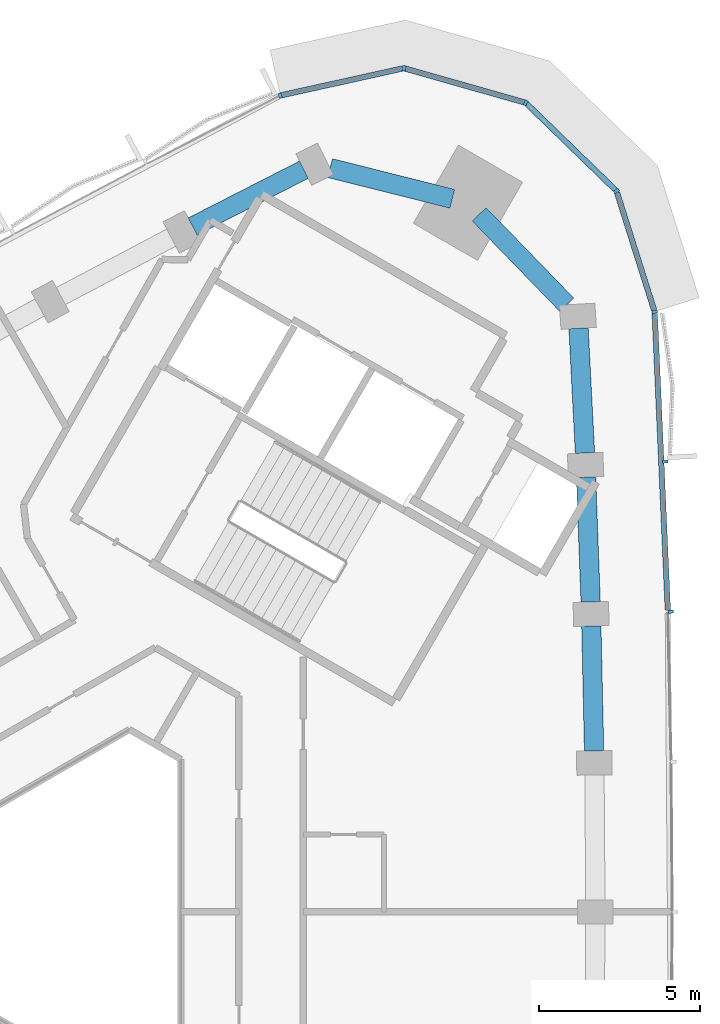
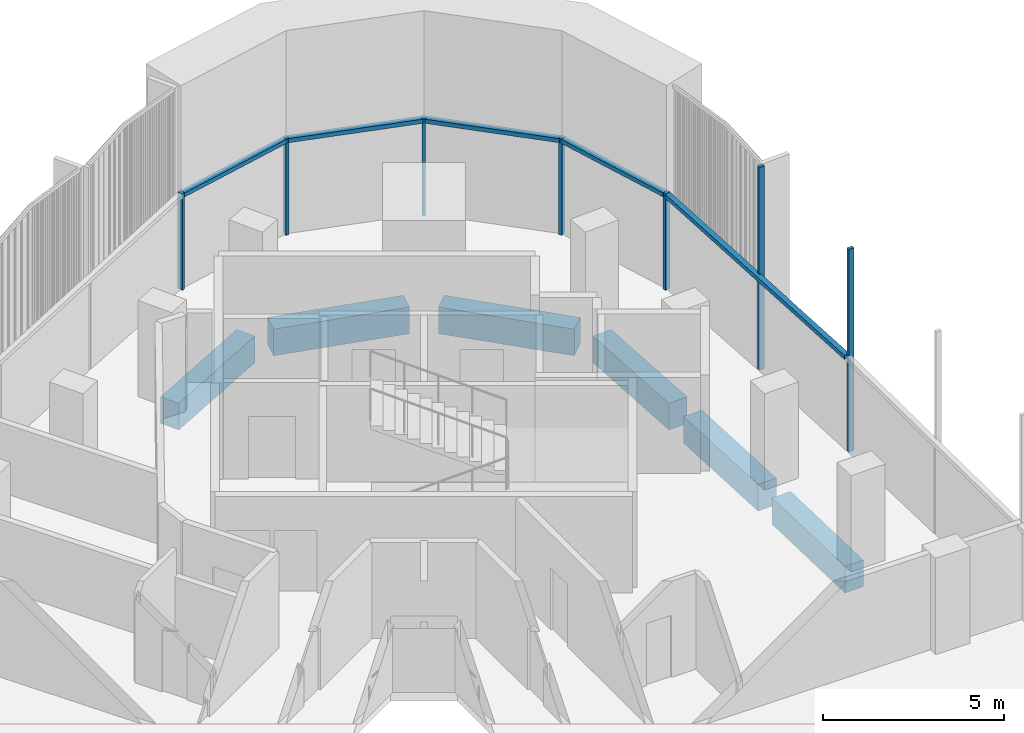
# One storey, part 6 of 16: 12 members, 6 beams, 2 elements without a shape of their own.
"""IFC4 building model written with IfcOpenShell, lengths in metres."""

from ifc_helpers import new_model, si_unit, direction, frame, origin, origin_2d, place, context, subcontext, project, spatial, rectangle, extrude, material, material_profile, profile_set, type_object, element, aggregate, save


model = new_model("IFC4")

# Units and contexts
model_context = context("Model", 3, precision=1e-05, world=origin(), true_north=direction((0.0, 1.0)))
body_context = subcontext(model_context, "Body", "Model", "MODEL_VIEW")
ifc_project = project(units=[si_unit("LENGTHUNIT", "METRE"), si_unit("AREAUNIT", "SQUARE_METRE"), si_unit("VOLUMEUNIT", "CUBIC_METRE"), si_unit("PLANEANGLEUNIT", "RADIAN"), si_unit("MASSUNIT", "GRAM", prefix="KILO")], contexts=[model_context])

# Site, building, storey
site_placement = place(None, origin())
site = spatial("IfcSite", under=ifc_project, at=site_placement, CompositionType="ELEMENT")
building_placement = place(site_placement, origin())
building = spatial("IfcBuilding", under=site, at=building_placement, Name="Tamra Quay Hotel Tower", CompositionType="ELEMENT")
storey_placement = place(building_placement, frame((0.0, 0.0, 232.199951171875)))
storey = spatial("IfcBuildingStorey", under=building, at=storey_placement, Name="L58", CompositionType="ELEMENT", Elevation=232.199951171875)

# Curtain wall, members
ifc_material_1 = material(Name="Aluminium 6063 anodised dark grey", Category="aluminium")
curtain_wall_type_1 = type_object("IfcCurtainWallType", Name="CW1 CURTAIN WALL", PredefinedType="NOTDEFINED", material=ifc_material_1)
curtain_wall_1_placement = place(storey_placement, origin())
curtain_wall_1 = element("IfcCurtainWall", 1, at=curtain_wall_1_placement, inside=storey, type_object=curtain_wall_type_1, Name="CW1 east face L58", PredefinedType="NOTDEFINED")
ifc_material_profile_1 = material_profile(ifc_material_1, rectangle(XDim=0.169921875, YDim=0.10009765625, at=origin_2d()), Name="MULLION 100X170")
ifc_profile_set_1 = profile_set([ifc_material_profile_1], Name="Aluminium 6063 anodised dark grey")
member_type_1 = type_object("IfcMemberType", Name="MULLION CW1 Z5", PredefinedType="MULLION", material=ifc_profile_set_1)
member_1_placement = place(storey_placement, frame((19.0029296875, 9.3212890625, 0.0), z_axis=(0.0, 0.0, 1.0), x_axis=(0.999567604461, 0.029404151257, 0.0)))
member_1 = element("IfcMember", 2, at=member_1_placement, type_object=member_type_1, Name="CW1 mullion L58.E.7", PredefinedType="MULLION", context=body_context, shape_type="SweptSolid", body=[
    extrude(rectangle(XDim=0.169921875, YDim=0.10009765625, at=origin_2d()), origin(), (0.0, 0.0, 1.0), 6.85009765625),
])
member_2_placement = place(storey_placement, frame((18.831787109375, 13.980224609375, 0.0), z_axis=(0.0, 0.0, 1.0), x_axis=(0.999028242541, 0.044074602737, 0.0)))
member_2 = element("IfcMember", 3, at=member_2_placement, type_object=member_type_1, Name="CW1 mullion L58.E.8", PredefinedType="MULLION", context=body_context, shape_type="SweptSolid", body=[
    extrude(rectangle(XDim=0.169921875, YDim=0.10009765625, at=origin_2d()), origin(), (0.0, 0.0, 1.0), 6.85009765625),
])
member_3_placement = place(storey_placement, frame((18.50732421875, 18.63037109375, 0.0), z_axis=(0.0, 0.0, 1.0), x_axis=(0.984105369622, 0.177585532857, 0.0)))
member_3 = element("IfcMember", 4, at=member_3_placement, type_object=member_type_1, Name="CW1 mullion L58.E.9", PredefinedType="MULLION", context=body_context, shape_type="SweptSolid", body=[
    extrude(rectangle(XDim=0.169921875, YDim=0.10009765625, at=origin_2d()), origin(), (0.0, 0.0, 1.0), 3.25),
])
member_4_placement = place(storey_placement, frame((17.323974609375, 22.38037109375, 0.0), z_axis=(0.0, 0.0, 1.0), x_axis=(0.851044298206, 0.525093898736, 0.0)))
member_4 = element("IfcMember", 5, at=member_4_placement, type_object=member_type_1, Name="CW1 mullion L58.E.10", PredefinedType="MULLION", context=body_context, shape_type="SweptSolid", body=[
    extrude(rectangle(XDim=0.169921875, YDim=0.10009765625, at=origin_2d()), origin(), (0.0, 0.0, 1.0), 3.25),
])
member_5_placement = place(storey_placement, frame((14.503173828125, 25.1201171875, 0.0), z_axis=(0.0, 0.0, 1.0), x_axis=(0.5, 0.866025403784, 0.0)))
member_5 = element("IfcMember", 6, at=member_5_placement, type_object=member_type_1, Name="CW1 mullion L58.E.11", PredefinedType="MULLION", context=body_context, shape_type="SweptSolid", body=[
    extrude(rectangle(XDim=0.169921875, YDim=0.10009765625, at=origin_2d()), origin(), (0.0, 0.0, 1.0), 3.25),
])
member_6_placement = place(storey_placement, frame((10.719970703125, 26.193359375, 0.0), z_axis=(0.0, 0.0, 1.0), x_axis=(0.029222506575, 0.999572931361, 0.0)))
member_6 = element("IfcMember", 7, at=member_6_placement, type_object=member_type_1, Name="CW1 mullion L58.E.12", PredefinedType="MULLION", context=body_context, shape_type="SweptSolid", body=[
    extrude(rectangle(XDim=0.169921875, YDim=0.10009765625, at=origin_2d()), origin(), (0.0, 0.0, 1.0), 3.25),
])

# Curtain wall, member
curtain_wall_type_2 = type_object("IfcCurtainWallType", Name="CW2 CURTAIN WALL", PredefinedType="NOTDEFINED", material=ifc_material_1)
curtain_wall_2_placement = place(storey_placement, origin())
curtain_wall_2 = element("IfcCurtainWall", 8, at=curtain_wall_2_placement, inside=storey, type_object=curtain_wall_type_2, Name="CW2 north-west face L58", PredefinedType="NOTDEFINED")
ifc_material_profile_2 = material_profile(ifc_material_1, rectangle(XDim=0.169921875, YDim=0.10009765625, at=origin_2d()), Name="MULLION 100X170")
ifc_profile_set_2 = profile_set([ifc_material_profile_2], Name="Aluminium 6063 anodised dark grey")
member_type_2 = type_object("IfcMemberType", Name="MULLION CW2 Z5", PredefinedType="MULLION", material=ifc_profile_set_2)
member_7_placement = place(storey_placement, frame((6.880615234375, 25.343017578125, 0.0), z_axis=(0.0, 0.0, 1.0), x_axis=(-0.338259102012, 0.941053016522, 0.0)))
member_7 = element("IfcMember", 9, at=member_7_placement, type_object=member_type_2, Name="CW2 mullion L58.NW.1", PredefinedType="MULLION", context=body_context, shape_type="SweptSolid", body=[
    extrude(rectangle(XDim=0.169921875, YDim=0.10009765625, at=origin_2d()), origin(), (0.0, 0.0, 1.0), 3.25),
])
aggregate(curtain_wall_2, [member_7])

# Beams
ifc_material_2 = material(Name="Concrete M60", Category="concrete")
ifc_material_profile_3 = material_profile(ifc_material_2, rectangle(XDim=0.60009765625, YDim=0.89990234375, at=origin_2d()), Name="SPANDREL BEAM RC 600x900")
ifc_profile_set_3 = profile_set([ifc_material_profile_3], Name="Concrete M60")
beam_type = type_object("IfcBeamType", Name="SPANDREL BEAM RC 600x900", PredefinedType="SPANDREL", material=ifc_profile_set_3)
beam_1_placement = place(storey_placement, frame((16.626953125, 5.0, -0.800048828125), z_axis=(-0.022047440235, 0.999756925647, 0.0), x_axis=(-0.999756925647, -0.022047440235, 0.0)))
element("IfcBeam", 10, at=beam_1_placement, inside=storey, type_object=beam_type, Name="BM-SP5-005-L58", PredefinedType="SPANDREL", context=body_context, shape_type="SweptSolid", body=[
    extrude(rectangle(XDim=0.60009765625, YDim=0.89990234375, at=origin_2d()), origin(), (0.0, 0.0, 1.0), 3.875732421875),
])
beam_2_placement = place(storey_placement, frame((16.51953125, 9.62451171875, -0.800048828125), z_axis=(-0.036732019634, 0.999325151657, 0.0), x_axis=(-0.999325151657, -0.036732019634, 0.0)))
element("IfcBeam", 11, at=beam_2_placement, inside=storey, type_object=beam_type, Name="BM-SP5-006-L58", PredefinedType="SPANDREL", context=body_context, shape_type="SweptSolid", body=[
    extrude(rectangle(XDim=0.60009765625, YDim=0.89990234375, at=origin_2d()), origin(), (0.0, 0.0, 1.0), 3.875),
])
beam_3_placement = place(storey_placement, frame((16.343994140625, 14.24609375, -0.800048828125), z_axis=(-0.051404854824, 0.998677896471, 0.0), x_axis=(-0.998677896471, -0.051404854824, 0.0)))
element("IfcBeam", 12, at=beam_3_placement, inside=storey, type_object=beam_type, Name="BM-SP5-007-L58", PredefinedType="SPANDREL", context=body_context, shape_type="SweptSolid", body=[
    extrude(rectangle(XDim=0.60009765625, YDim=0.89990234375, at=origin_2d()), origin(), (0.0, 0.0, 1.0), 3.87548828125),
])
beam_4_placement = place(storey_placement, frame((15.781005859375, 18.846435546875, -0.800048828125), z_axis=(-0.69594408001, 0.718095980701, 0.0), x_axis=(-0.718095980701, -0.69594408001, 0.0)))
element("IfcBeam", 13, at=beam_4_placement, inside=storey, type_object=beam_type, Name="BM-SP5-008-L58", PredefinedType="SPANDREL", context=body_context, shape_type="SweptSolid", body=[
    extrude(rectangle(XDim=0.60009765625, YDim=0.89990234375, at=origin_2d()), origin(), (0.0, 0.0, 1.0), 3.91259765625),
])
beam_5_placement = place(storey_placement, frame((12.225830078125, 22.136474609375, -0.800048828125), z_axis=(-0.969848171666, 0.243709917558, 0.0), x_axis=(-0.243709917558, -0.969848171666, 0.0)))
element("IfcBeam", 14, at=beam_5_placement, inside=storey, type_object=beam_type, Name="BM-SP5-009-L58", PredefinedType="SPANDREL", context=body_context, shape_type="SweptSolid", body=[
    extrude(rectangle(XDim=0.60009765625, YDim=0.89990234375, at=origin_2d()), origin(), (0.0, 0.0, 1.0), 3.912841796875),
])
beam_6_placement = place(storey_placement, frame((7.616943359375, 23.0400390625, -0.800048828125), z_axis=(-0.890602550436, -0.454782472349, 0.0), x_axis=(0.454782472349, -0.890602550436, 0.0)))
element("IfcBeam", 15, at=beam_6_placement, inside=storey, type_object=beam_type, Name="BM-SP5-010-L58", PredefinedType="SPANDREL", context=body_context, shape_type="SweptSolid", body=[
    extrude(rectangle(XDim=0.60009765625, YDim=0.89990234375, at=origin_2d()), origin(), (0.0, 0.0, 1.0), 3.87548828125),
])

# Member
ifc_material_profile_4 = material_profile(ifc_material_1, rectangle(XDim=0.169921875, YDim=0.139892578125, at=origin_2d()), Name="TRANSOM 170X140")
ifc_profile_set_4 = profile_set([ifc_material_profile_4], Name="Aluminium 6063 anodised dark grey")
member_type_3 = type_object("IfcMemberType", Name="TRANSOM CW1 Z5", PredefinedType="USERDEFINED", material=ifc_profile_set_4)
member_8_placement = place(storey_placement, frame((18.916259765625, 9.368896484375, 3.179931640625), z_axis=(-0.044086433995, 0.999027720505, 0.0), x_axis=(-0.999027720505, -0.044086433995, 0.0)))
member_8 = element("IfcMember", 16, at=member_8_placement, type_object=member_type_3, Name="CW1 transom L58.E.7", ObjectType="TRANSOM", PredefinedType="USERDEFINED", context=body_context, shape_type="SweptSolid", body=[
    extrude(rectangle(XDim=0.169921875, YDim=0.139892578125, at=origin_2d()), origin(), (0.0, 0.0, 1.0), 9.220458984375),
])

member_9_placement = place(storey_placement, frame((18.4921875, 18.677978515625, 3.179931640625), z_axis=(-0.300878302807, 0.953662543513, 0.0), x_axis=(-0.953662543513, -0.300878302807, 0.0)))
member_9 = element("IfcMember", 17, at=member_9_placement, type_object=member_type_3, Name="CW1 transom L58.E.9", ObjectType="TRANSOM", PredefinedType="USERDEFINED", context=body_context, shape_type="SweptSolid", body=[
    extrude(rectangle(XDim=0.169921875, YDim=0.139892578125, at=origin_2d()), origin(), (0.0, 0.0, 1.0), 3.832275390625),
])

member_10_placement = place(storey_placement, frame((17.2880859375, 22.415283203125, 3.179931640625), z_axis=(-0.717352155518, 0.696710761345, 0.0), x_axis=(-0.696710761345, -0.717352155518, 0.0)))
member_10 = element("IfcMember", 18, at=member_10_placement, type_object=member_type_3, Name="CW1 transom L58.E.10", ObjectType="TRANSOM", PredefinedType="USERDEFINED", context=body_context, shape_type="SweptSolid", body=[
    extrude(rectangle(XDim=0.169921875, YDim=0.139892578125, at=origin_2d()), origin(), (0.0, 0.0, 1.0), 3.832275390625),
])

member_11_placement = place(storey_placement, frame((14.455078125, 25.1337890625, 3.179931640625), z_axis=(-0.962041469084, 0.272903301123, 0.0), x_axis=(-0.272903301123, -0.962041469084, 0.0)))
member_11 = element("IfcMember", 19, at=member_11_placement, type_object=member_type_3, Name="CW1 transom L58.E.11", ObjectType="TRANSOM", PredefinedType="USERDEFINED", context=body_context, shape_type="SweptSolid", body=[
    extrude(rectangle(XDim=0.169921875, YDim=0.139892578125, at=origin_2d()), origin(), (0.0, 0.0, 1.0), 3.83251953125),
])

member_12_placement = place(storey_placement, frame((10.671142578125, 26.182373046875, 3.179931640625), z_axis=(-0.976345686568, -0.216215402598, 0.0), x_axis=(0.216215402598, -0.976345686568, 0.0)))
member_12 = element("IfcMember", 20, at=member_12_placement, type_object=member_type_3, Name="CW1 transom L58.E.12", ObjectType="TRANSOM", PredefinedType="USERDEFINED", context=body_context, shape_type="SweptSolid", body=[
    extrude(rectangle(XDim=0.169921875, YDim=0.139892578125, at=origin_2d()), origin(), (0.0, 0.0, 1.0), 3.832275390625),
])

aggregate(curtain_wall_1, [member_1, member_8, member_2, member_3, member_9, member_4, member_10, member_5, member_11, member_6, member_12])

save(model, "model.ifc")
